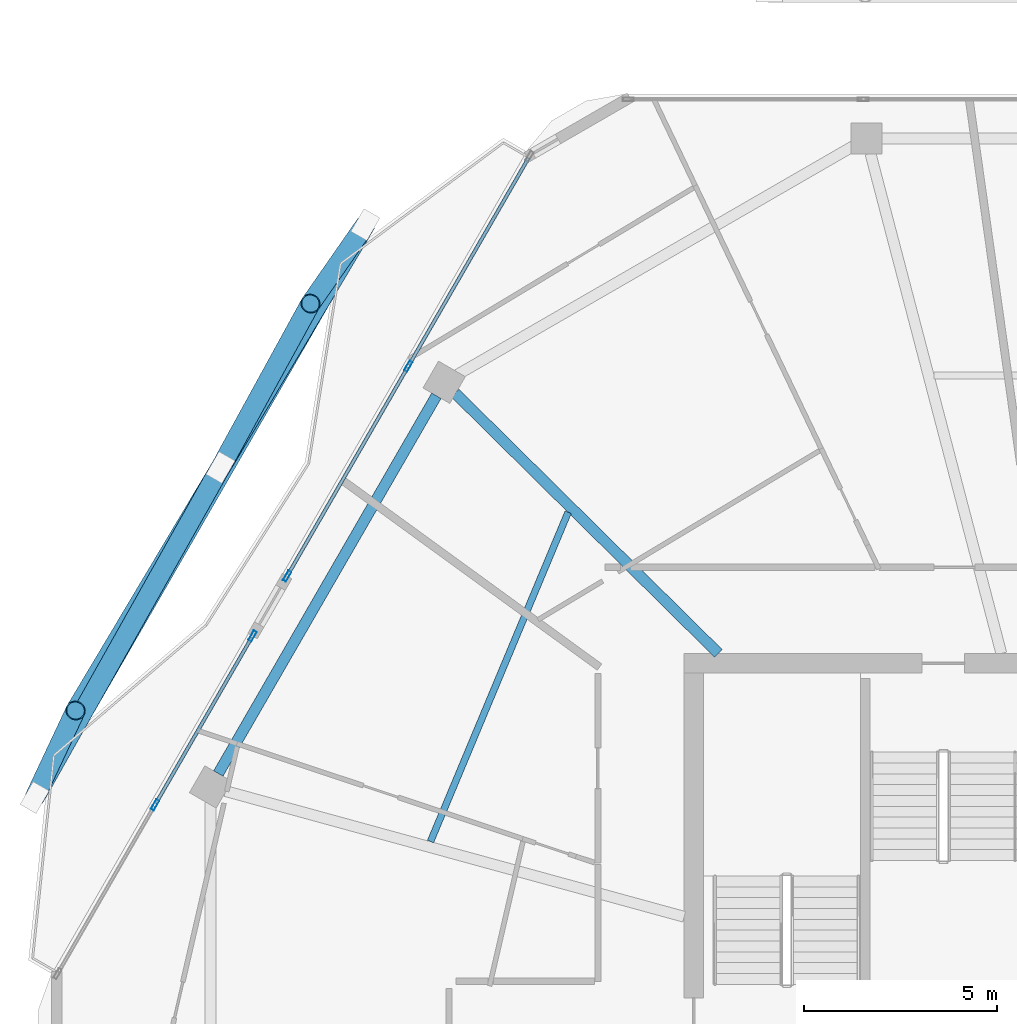
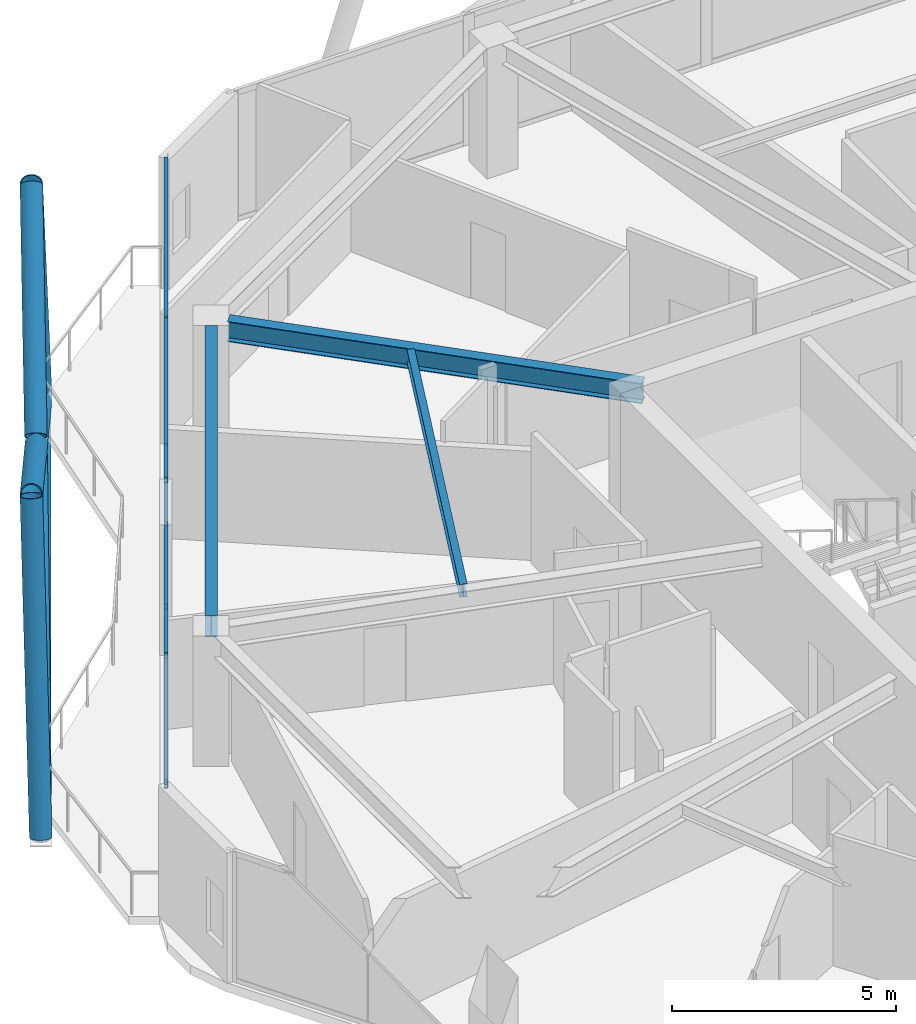
# One storey, part 9 of 23: 16 members, 3 beams, 2 elements without a shape of their own.
"""IFC4 building model written with IfcOpenShell, lengths in metres."""

from ifc_helpers import new_model, si_unit, direction, frame, origin, origin_2d, place, context, subcontext, project, spatial, hollow_rectangle, hollow_circle, i_section, extrude, material, material_profile, profile_set, type_object, element, aggregate, save


model = new_model("IFC4")

# Units and contexts
model_context = context("Model", 3, precision=1e-05, world=origin(), true_north=direction((0.0, 1.0)))
body_context = subcontext(model_context, "Body", "Model", "MODEL_VIEW")
ifc_project = project(units=[si_unit("LENGTHUNIT", "METRE"), si_unit("AREAUNIT", "SQUARE_METRE"), si_unit("VOLUMEUNIT", "CUBIC_METRE"), si_unit("PLANEANGLEUNIT", "RADIAN"), si_unit("MASSUNIT", "GRAM", prefix="KILO")], contexts=[model_context])

# Site, building, storey
site_placement = place(None, origin())
site = spatial("IfcSite", under=ifc_project, at=site_placement, CompositionType="ELEMENT")
building_placement = place(site_placement, origin())
building = spatial("IfcBuilding", under=site, at=building_placement, Name="Zuhravey Tower", CompositionType="ELEMENT")
storey_placement = place(building_placement, frame((0.0, 0.0, 315.800048828125)))
storey = spatial("IfcBuildingStorey", under=building, at=storey_placement, Name="L80", CompositionType="ELEMENT", Elevation=315.800048828125)

# Curtain wall, members
ifc_material_1 = material(Name="Thermally broken anodised aluminium", Category="aluminium")
curtain_wall_type = type_object("IfcCurtainWallType", Name="Zone 3-4 High-Rise Curtain Wall CW4", PredefinedType="NOTDEFINED", material=ifc_material_1)
curtain_wall_1_placement = place(storey_placement, origin())
curtain_wall_1 = element("IfcCurtainWall", 1, at=curtain_wall_1_placement, inside=storey, type_object=curtain_wall_type, Name="L80 CW4 CW-L80-F3-1", PredefinedType="NOTDEFINED")
ifc_material_2 = material(Name="Anodised aluminium", Category="aluminium")
ifc_material_profile_1 = material_profile(ifc_material_2, hollow_rectangle(XDim=0.090087890625, YDim=0.284912109375, WallThickness=0.0048828125, at=origin_2d()), Name="ALU-RHS-90x285x5")
ifc_profile_set_1 = profile_set([ifc_material_profile_1], Name="Anodised aluminium")
member_type_1 = type_object("IfcMemberType", Name="Curtain-Wall Mullion 90x180", PredefinedType="MULLION", material=ifc_profile_set_1)
member_1_placement = place(storey_placement, frame((11.572998046875, 37.83935546875, 0.0), z_axis=(0.0, 0.0, 1.0), x_axis=(-0.866026853495, 0.499997489019, 0.0)))
member_1 = element("IfcMember", 2, at=member_1_placement, type_object=member_type_1, Name="CW4 mullion 2", PredefinedType="MULLION", context=body_context, shape_type="SweptSolid", body=[
    extrude(hollow_rectangle(XDim=0.090087890625, YDim=0.284912109375, WallThickness=0.0048828125, at=origin_2d()), origin(), (0.0, 0.0, 1.0), 3.550048828125),
])
member_2_placement = place(storey_placement, frame((14.092041015625, 42.202392578125, 0.0), z_axis=(0.0, 0.0, 1.0), x_axis=(-0.866026853495, 0.499997489019, 0.0)))
member_2 = element("IfcMember", 3, at=member_2_placement, type_object=member_type_1, Name="CW4 mullion 3", PredefinedType="MULLION", context=body_context, shape_type="SweptSolid", body=[
    extrude(hollow_rectangle(XDim=0.090087890625, YDim=0.284912109375, WallThickness=0.0048828125, at=origin_2d()), origin(), (0.0, 0.0, 1.0), 3.550048828125),
])

curtain_wall_2_placement = place(storey_placement, origin())
curtain_wall_2 = element("IfcCurtainWall", 4, at=curtain_wall_2_placement, inside=storey, type_object=curtain_wall_type, Name="L80 CW4 CW-L80-F3-2", PredefinedType="NOTDEFINED")
member_3_placement = place(storey_placement, frame((14.987060546875, 43.752685546875, 0.0), z_axis=(0.0, 0.0, 1.0), x_axis=(-0.866023318327, 0.500003612102, 0.0)))
member_3 = element("IfcMember", 5, at=member_3_placement, type_object=member_type_1, Name="CW4 mullion 1", PredefinedType="MULLION", context=body_context, shape_type="SweptSolid", body=[
    extrude(hollow_rectangle(XDim=0.090087890625, YDim=0.284912109375, WallThickness=0.0048828125, at=origin_2d()), origin(), (0.0, 0.0, 1.0), 3.550048828125),
])
member_4_placement = place(storey_placement, frame((18.11767578125, 49.175048828125, 0.0), z_axis=(0.0, 0.0, 1.0), x_axis=(-0.866023318327, 0.500003612102, 0.0)))
member_4 = element("IfcMember", 6, at=member_4_placement, type_object=member_type_1, Name="CW4 mullion 2", PredefinedType="MULLION", context=body_context, shape_type="SweptSolid", body=[
    extrude(hollow_rectangle(XDim=0.090087890625, YDim=0.284912109375, WallThickness=0.0048828125, at=origin_2d()), origin(), (0.0, 0.0, 1.0), 3.550048828125),
])

# Member
ifc_material_profile_2 = material_profile(ifc_material_2, hollow_rectangle(XDim=0.090087890625, YDim=0.14990234375, WallThickness=0.0048828125, at=origin_2d()), Name="ALU-RHS-90x150x5")
ifc_profile_set_2 = profile_set([ifc_material_profile_2], Name="Anodised aluminium")
member_type_2 = type_object("IfcMemberType", Name="Curtain-Wall Transom 90x150", PredefinedType="USERDEFINED", material=ifc_profile_set_2)
member_5_placement = place(storey_placement, frame((11.595458984375, 37.87841796875, 0.044921875), z_axis=(0.500012880501, 0.866017967096, 0.0), x_axis=(-0.866017967096, 0.500012880501, 0.0)))
member_5 = element("IfcMember", 7, at=member_5_placement, type_object=member_type_2, Name="CW4 transom 2.1", ObjectType="TRANSOM", PredefinedType="USERDEFINED", context=body_context, shape_type="SweptSolid", body=[
    extrude(hollow_rectangle(XDim=0.090087890625, YDim=0.14990234375, WallThickness=0.0048828125, at=origin_2d()), origin(), (0.0, 0.0, 1.0), 4.947998046875),
])

member_6_placement = place(storey_placement, frame((11.595458984375, 37.87841796875, 3.5048828125), z_axis=(0.500012880501, 0.866017967096, 0.0), x_axis=(-0.866017967096, 0.500012880501, 0.0)))
member_6 = element("IfcMember", 8, at=member_6_placement, type_object=member_type_2, Name="CW4 transom 2.2", ObjectType="TRANSOM", PredefinedType="USERDEFINED", context=body_context, shape_type="SweptSolid", body=[
    extrude(hollow_rectangle(XDim=0.090087890625, YDim=0.14990234375, WallThickness=0.0048828125, at=origin_2d()), origin(), (0.0, 0.0, 1.0), 4.947998046875),
])

aggregate(curtain_wall_1, [member_1, member_2, member_5, member_6])

member_7_placement = place(storey_placement, frame((15.009521484375, 43.791748046875, 0.044921875), z_axis=(0.50000668347, 0.866021545047, 0.0), x_axis=(-0.866021545047, 0.50000668347, 0.0)))
member_7 = element("IfcMember", 9, at=member_7_placement, type_object=member_type_2, Name="CW4 transom 1.1", ObjectType="TRANSOM", PredefinedType="USERDEFINED", context=body_context, shape_type="SweptSolid", body=[
    extrude(hollow_rectangle(XDim=0.090087890625, YDim=0.14990234375, WallThickness=0.0048828125, at=origin_2d()), origin(), (0.0, 0.0, 1.0), 6.17138671875),
])

member_8_placement = place(storey_placement, frame((15.009521484375, 43.791748046875, 3.5048828125), z_axis=(0.50000668347, 0.866021545047, 0.0), x_axis=(-0.866021545047, 0.50000668347, 0.0)))
member_8 = element("IfcMember", 10, at=member_8_placement, type_object=member_type_2, Name="CW4 transom 1.2", ObjectType="TRANSOM", PredefinedType="USERDEFINED", context=body_context, shape_type="SweptSolid", body=[
    extrude(hollow_rectangle(XDim=0.090087890625, YDim=0.14990234375, WallThickness=0.0048828125, at=origin_2d()), origin(), (0.0, 0.0, 1.0), 6.17138671875),
])

member_9_placement = place(storey_placement, frame((18.14013671875, 49.214111328125, 0.044921875), z_axis=(0.50000668347, 0.866021545047, 0.0), x_axis=(-0.866021545047, 0.50000668347, 0.0)))
member_9 = element("IfcMember", 11, at=member_9_placement, type_object=member_type_2, Name="CW4 transom 2.1", ObjectType="TRANSOM", PredefinedType="USERDEFINED", context=body_context, shape_type="SweptSolid", body=[
    extrude(hollow_rectangle(XDim=0.090087890625, YDim=0.14990234375, WallThickness=0.0048828125, at=origin_2d()), origin(), (0.0, 0.0, 1.0), 6.17138671875),
])

member_10_placement = place(storey_placement, frame((18.14013671875, 49.214111328125, 3.5048828125), z_axis=(0.50000668347, 0.866021545047, 0.0), x_axis=(-0.866021545047, 0.50000668347, 0.0)))
member_10 = element("IfcMember", 12, at=member_10_placement, type_object=member_type_2, Name="CW4 transom 2.2", ObjectType="TRANSOM", PredefinedType="USERDEFINED", context=body_context, shape_type="SweptSolid", body=[
    extrude(hollow_rectangle(XDim=0.090087890625, YDim=0.14990234375, WallThickness=0.0048828125, at=origin_2d()), origin(), (0.0, 0.0, 1.0), 6.17138671875),
])

aggregate(curtain_wall_2, [member_3, member_4, member_7, member_8, member_9, member_10])

# Members
ifc_material_3 = material(Name="Steel SM355", Category="steel")
ifc_material_profile_3 = material_profile(ifc_material_3, hollow_circle(Radius=0.228515625, WallThickness=0.02197265625, at=origin_2d()), Name="CHS-457.2x22")
ifc_profile_set_3 = profile_set([ifc_material_profile_3], Name="Steel SM355")
member_type_3 = type_object("IfcMemberType", Name="Exoskeleton Ring Tie CHS457x22", PredefinedType="CHORD", material=ifc_profile_set_3)
member_11_placement = place(storey_placement, frame((16.939697265625, 52.71484375, -0.464111328125), z_axis=(-0.499996794797, -0.866027254301, 0.0), x_axis=(0.866027254301, -0.499996794797, 0.0)))
element("IfcMember", 13, at=member_11_placement, inside=storey, type_object=member_type_3, Name="L80 Exoskeleton Face 3 Tie EXR1", PredefinedType="CHORD", context=body_context, shape_type="SweptSolid", body=[
    extrude(hollow_circle(Radius=0.228515625, WallThickness=0.02197265625, at=origin_2d()), origin(), (0.0, 0.0, 1.0), 16.81884765625),
])
ifc_material_profile_4 = material_profile(ifc_material_3, hollow_circle(Radius=0.25390625, WallThickness=0.02490234375, at=origin_2d()), Name="CHS-508.0x25")
ifc_profile_set_4 = profile_set([ifc_material_profile_4], Name="Steel SM355")
member_type_4 = type_object("IfcMemberType", Name="Exoskeleton Zone 4 Diagrid CHS508x25", PredefinedType="BRACE", material=ifc_profile_set_4)
member_12_placement = place(storey_placement, frame((17.0068359375, 52.831787109375, -0.447998046875), z_axis=(-0.177924563281, -0.255636273811, 0.950259409474), x_axis=(0.820768762121, -0.571260570254, 0.0)))
element("IfcMember", 14, at=member_12_placement, inside=storey, type_object=member_type_4, Name="L80 Face 3 Diagrid Brace 1", PredefinedType="BRACE", context=body_context, shape_type="SweptSolid", body=[
    extrude(hollow_circle(Radius=0.25390625, WallThickness=0.02490234375, at=origin_2d()), origin(), (0.0, 0.0, 1.0), 7.964111328125),
])
member_13_placement = place(storey_placement, frame((16.994140625, 52.8095703125, -0.447998046875), z_axis=(-0.454632391237, -0.76193186464, 0.461269143217), x_axis=(0.858746745298, -0.512400260968, 0.0)))
element("IfcMember", 15, at=member_13_placement, inside=storey, type_object=member_type_4, Name="L80 Face 3 Diagrid Brace 2", PredefinedType="BRACE", context=body_context, shape_type="SweptSolid", body=[
    extrude(hollow_circle(Radius=0.25390625, WallThickness=0.02490234375, at=origin_2d()), origin(), (0.0, 0.0, 1.0), 16.40673828125),
])
member_14_placement = place(storey_placement, frame((8.462646484375, 38.03271484375, -0.447998046875), z_axis=(0.132431574239, 0.281907582569, 0.950257856076), x_axis=(-0.90510401106, 0.425190227031, 0.0)))
element("IfcMember", 16, at=member_14_placement, inside=storey, type_object=member_type_4, Name="L80 Face 3 Diagrid Brace 4", PredefinedType="BRACE", context=body_context, shape_type="SweptSolid", body=[
    extrude(hollow_circle(Radius=0.25390625, WallThickness=0.02490234375, at=origin_2d()), origin(), (0.0, 0.0, 1.0), 7.964111328125),
])
member_15_placement = place(storey_placement, frame((8.47607421875, 38.05615234375, -0.451416015625), z_axis=(0.457456581845, 0.812303625026, 0.361795932116), x_axis=(-0.871329847414, 0.490697765438, 0.0)))
element("IfcMember", 17, at=member_15_placement, inside=storey, type_object=member_type_4, Name="L80 Face 3 Split Diagrid Brace 3A", PredefinedType="BRACE", context=body_context, shape_type="SweptSolid", body=[
    extrude(hollow_circle(Radius=0.25390625, WallThickness=0.02490234375, at=origin_2d()), origin(), (0.0, 0.0, 1.0), 10.223876953125),
])
member_16_placement = place(storey_placement, frame((13.35693359375, 46.727294921875, 3.48681640625), z_axis=(0.377959894948, 0.688902671959, 0.618513885356), x_axis=(-0.876718734109, 0.481003390073, 0.0)))
element("IfcMember", 18, at=member_16_placement, inside=storey, type_object=member_type_4, Name="L80 Face 3 Split Diagrid Brace 3B", PredefinedType="BRACE", context=body_context, shape_type="SweptSolid", body=[
    extrude(hollow_circle(Radius=0.25390625, WallThickness=0.02490234375, at=origin_2d()), origin(), (0.0, 0.0, 1.0), 5.865234375),
])

# Beams
ifc_material_profile_5 = material_profile(ifc_material_3, i_section(OverallWidth=0.280029296875, OverallDepth=0.580078125, WebThickness=0.011962890625, FlangeThickness=0.01904296875, at=origin_2d()), Name="H-580x280x12x19")
ifc_profile_set_5 = profile_set([ifc_material_profile_5], Name="Steel SM355")
beam_type_1 = type_object("IfcBeamType", Name="Perimeter Ring Beam H580x280", PredefinedType="BEAM", material=ifc_profile_set_5)
beam_1_placement = place(storey_placement, frame((18.84375, 48.41259765625, 3.260009765625), z_axis=(-0.500006198144, -0.866021825255, 0.0), x_axis=(0.866021825255, -0.500006198144, 0.0)))
element("IfcBeam", 19, at=beam_1_placement, inside=storey, type_object=beam_type_1, Name="L80 PB4 BM-L80-PB-05", PredefinedType="BEAM", context=body_context, shape_type="SweptSolid", body=[
    extrude(i_section(OverallWidth=0.280029296875, OverallDepth=0.580078125, WebThickness=0.011962890625, FlangeThickness=0.01904296875, at=origin_2d()), origin(), (0.0, 0.0, 1.0), 11.271240234375),
])
ifc_material_profile_6 = material_profile(ifc_material_3, i_section(OverallWidth=0.280029296875, OverallDepth=0.550048828125, WebThickness=0.010986328125, FlangeThickness=0.01806640625, at=origin_2d()), Name="H-550x280x11x18")
ifc_profile_set_6 = profile_set([ifc_material_profile_6], Name="Steel SM355")
beam_type_2 = type_object("IfcBeamType", Name="Radial Primary Girder H550x280", PredefinedType="BEAM", material=ifc_profile_set_6)
beam_2_placement = place(storey_placement, frame((26.134765625, 41.7529296875, 3.27490234375), z_axis=(-0.711153035666, 0.703037239314, 0.0), x_axis=(-0.703037239314, -0.711153035666, 0.0)))
element("IfcBeam", 20, at=beam_2_placement, inside=storey, type_object=beam_type_2, Name="L80 RG4 BM-L80-RAD-05", PredefinedType="BEAM", context=body_context, shape_type="SweptSolid", body=[
    extrude(i_section(OverallWidth=0.280029296875, OverallDepth=0.550048828125, WebThickness=0.010986328125, FlangeThickness=0.01806640625, at=origin_2d()), origin(), (0.0, 0.0, 1.0), 9.566162109375),
])
ifc_material_profile_7 = material_profile(ifc_material_3, i_section(OverallWidth=0.175048828125, OverallDepth=0.35009765625, WebThickness=0.007080078125, FlangeThickness=0.010986328125, at=origin_2d()), Name="H-350x175x7x11")
ifc_profile_set_7 = profile_set([ifc_material_profile_7], Name="Steel SM355")
beam_type_3 = type_object("IfcBeamType", Name="Secondary Floor Joist H350x175", PredefinedType="JOIST", material=ifc_profile_set_7)
beam_3_placement = place(storey_placement, frame((22.2509765625, 45.40478515625, 3.375), z_axis=(-0.385657891576, -0.922641853953, 0.0), x_axis=(0.922641853953, -0.385657891576, 0.0)))
element("IfcBeam", 21, at=beam_3_placement, inside=storey, type_object=beam_type_3, Name="L80 SJ3 BM-L80-SJ-05-1", PredefinedType="JOIST", context=body_context, shape_type="SweptSolid", body=[
    extrude(i_section(OverallWidth=0.175048828125, OverallDepth=0.35009765625, WebThickness=0.007080078125, FlangeThickness=0.010986328125, at=origin_2d()), origin(), (0.0, 0.0, 1.0), 9.226806640625),
])

save(model, "model.ifc")
